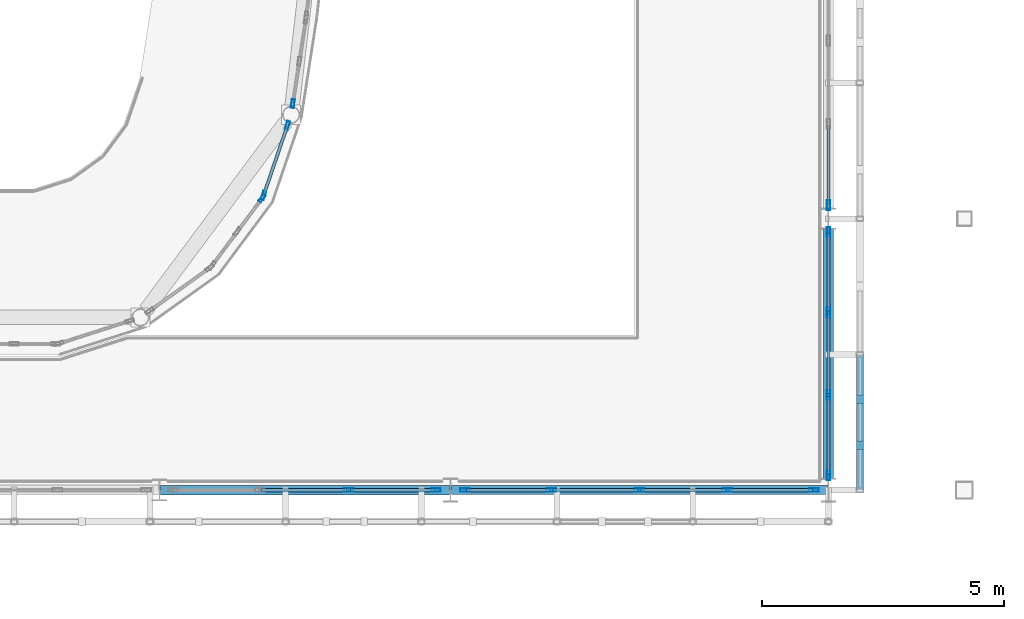
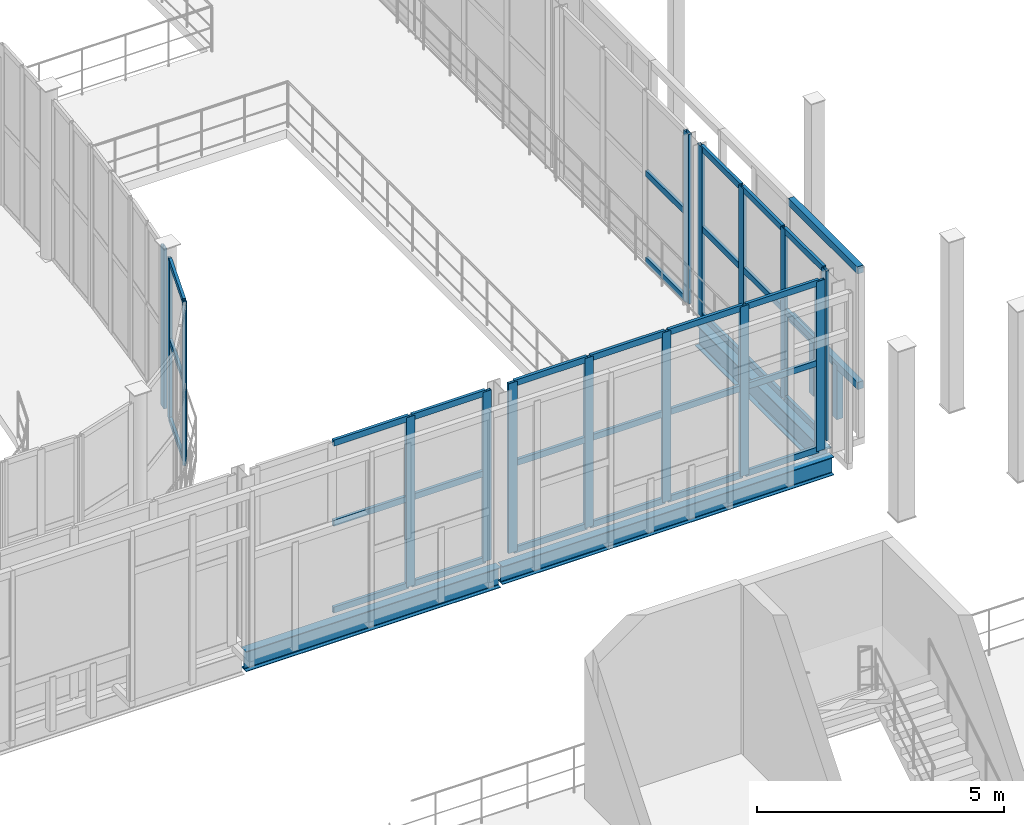
# One storey, part 32 of 138: 52 members, 3 beams, 7 elements without a shape of their own.
"""IFC4 building model written with IfcOpenShell, lengths in metres."""

from ifc_helpers import new_model, si_unit, direction, frame, origin, origin_2d, place, context, subcontext, project, spatial, rectangle, hollow_rectangle, i_section, extrude, material, layer, layer_set, material_profile, profile_set, type_object, element, aggregate, save


model = new_model("IFC4")

# Units and contexts
model_context = context("Model", 3, precision=1e-05, world=origin(), true_north=direction((0.0, 1.0)))
body_context = subcontext(model_context, "Body", "Model", "MODEL_VIEW")
ifc_project = project(units=[si_unit("LENGTHUNIT", "METRE"), si_unit("AREAUNIT", "SQUARE_METRE"), si_unit("VOLUMEUNIT", "CUBIC_METRE"), si_unit("PLANEANGLEUNIT", "RADIAN"), si_unit("MASSUNIT", "GRAM", prefix="KILO")], contexts=[model_context])

# Site, building, storey
site_placement = place(None, origin())
site = spatial("IfcSite", under=ifc_project, at=site_placement, CompositionType="ELEMENT")
building_placement = place(site_placement, origin())
building = spatial("IfcBuilding", under=site, at=building_placement, Name="Vinh Khe Railworks Police Headquarters", CompositionType="ELEMENT")
storey_placement = place(building_placement, frame((0.0, 0.0, 9.0)))
storey = spatial("IfcBuildingStorey", under=building, at=storey_placement, Name="L02", CompositionType="ELEMENT", Elevation=9.0)

# Members
ifc_material_1 = material(Name="Salvaged ironwood timber", Category="wood")
ifc_material_profile_1 = material_profile(ifc_material_1, rectangle(XDim=0.139892578125, YDim=0.179931640625, at=origin_2d()), Name="TIMBER 140x180")
ifc_profile_set_1 = profile_set([ifc_material_profile_1], Name="Salvaged ironwood timber")
member_type_1 = type_object("IfcMemberType", Name="MEM-QUILT-STILE", PredefinedType="CHORD", material=ifc_profile_set_1)
for number, where, z_axis, x_axis, name in (
    (1, (60.64990234375, 25.199951171875, 4.1201171875), (0.0, 1.0, 0.0), (-1.0, 0.0, 0.0), "Salvaged Timber Quilt Transom E-L02-00-TOP"),
    (2, (60.64990234375, 25.199951171875, 1.260009765625), (0.0, 1.0, 0.0), (-1.0, 0.0, 0.0), "Salvaged Timber Quilt Transom E-L02-00-M1"),
):
    element("IfcMember", number, at=place(storey_placement, frame(where, z_axis=z_axis, x_axis=x_axis)), inside=storey, type_object=member_type_1, Name=name, PredefinedType="CHORD", context=body_context, shape_type="SweptSolid", body=[
        extrude(rectangle(XDim=0.139892578125, YDim=0.179931640625, at=origin_2d()), origin(), (0.0, 0.0, 1.0), 2.800048828125),
    ])
for number, where, z_axis, x_axis, name in (
    (3, (60.64990234375, 26.1240234375, -0.080078125), (0.0, 0.0, 1.0), (1.0, 0.0, 0.0), "Salvaged Timber Quilt Stile E-L02-00-V1"),
    (4, (60.64990234375, 27.075927734375, -0.080078125), (0.0, 0.0, 1.0), (1.0, 0.0, 0.0), "Salvaged Timber Quilt Stile E-L02-00-V2"),
):
    element("IfcMember", number, at=place(storey_placement, frame(where, z_axis=z_axis, x_axis=x_axis)), inside=storey, type_object=member_type_1, Name=name, PredefinedType="POST", context=body_context, shape_type="SweptSolid", body=[
        extrude(rectangle(XDim=0.139892578125, YDim=0.179931640625, at=origin_2d()), origin(), (0.0, 0.0, 1.0), 1.340087890625),
    ])

# Curtain wall, member
ifc_material_2 = material(Name="Anodised aluminium and acoustic laminated glass", Category="aluminium")
ifc_layer_1 = layer(ifc_material_2, 0.159912109375)
ifc_layer_set_1 = layer_set([ifc_layer_1], Name="Anodised aluminium and acoustic laminated glass")
curtain_wall_type_1 = type_object("IfcCurtainWallType", Name="CW-DRUM-CHORD", PredefinedType="USERDEFINED", material=ifc_layer_set_1)
curtain_wall_1_placement = place(storey_placement, origin())
curtain_wall_1 = element("IfcCurtainWall", 5, at=curtain_wall_1_placement, inside=storey, type_object=curtain_wall_type_1, Name="Elliptical Command Drum Glazing L02 Chord 1", ObjectType="DRUM FACADE GLAZING", PredefinedType="USERDEFINED")
ifc_material_3 = material(Name="Anodised aluminium 6063-T6", Category="aluminium")
ifc_material_profile_2 = material_profile(ifc_material_3, hollow_rectangle(XDim=0.06494140625, YDim=0.179931640625, WallThickness=0.0048828125, at=origin_2d()), Name="CW-M 65x180x5")
ifc_profile_set_2 = profile_set([ifc_material_profile_2], Name="Anodised aluminium 6063-T6")
member_type_2 = type_object("IfcMemberType", Name="MULL-CWM-02", PredefinedType="MULLION", material=ifc_profile_set_2)
member_1_placement = place(storey_placement, frame((48.948486328125, 33.171630859375, 0.0), z_axis=(0.0, 0.0, 1.0), x_axis=(-0.988150166575, 0.153490222159, 0.0)))
member_1 = element("IfcMember", 6, at=member_1_placement, type_object=member_type_2, Name="CW-02 mullion 1", PredefinedType="MULLION", context=body_context, shape_type="SweptSolid", body=[
    extrude(hollow_rectangle(XDim=0.06494140625, YDim=0.179931640625, WallThickness=0.0048828125, at=origin_2d()), origin(), (0.0, 0.0, 1.0), 3.969970703125),
])
aggregate(curtain_wall_1, [member_1])

curtain_wall_2_placement = place(storey_placement, origin())
curtain_wall_2 = element("IfcCurtainWall", 7, at=curtain_wall_2_placement, inside=storey, type_object=curtain_wall_type_1, Name="Elliptical Command Drum Glazing L02 Chord 35", ObjectType="DRUM FACADE GLAZING", PredefinedType="USERDEFINED")
member_2_placement = place(storey_placement, frame((48.314697265625, 31.22021484375, 0.0), z_axis=(0.0, 0.0, 1.0), x_axis=(-0.802591949394, 0.596528425784, 0.0)))
member_2 = element("IfcMember", 8, at=member_2_placement, type_object=member_type_2, Name="CW-02 mullion 3", PredefinedType="MULLION", context=body_context, shape_type="SweptSolid", body=[
    extrude(hollow_rectangle(XDim=0.06494140625, YDim=0.179931640625, WallThickness=0.0048828125, at=origin_2d()), origin(), (0.0, 0.0, 1.0), 3.969970703125),
])
aggregate(curtain_wall_2, [member_2])

# Curtain wall, members
curtain_wall_3_placement = place(storey_placement, origin())
curtain_wall_3 = element("IfcCurtainWall", 9, at=curtain_wall_3_placement, inside=storey, type_object=curtain_wall_type_1, Name="Elliptical Command Drum Glazing L02 Chord 36", ObjectType="DRUM FACADE GLAZING", PredefinedType="USERDEFINED")
member_3_placement = place(storey_placement, frame((48.344482421875, 31.27685546875, 0.0), z_axis=(0.0, 0.0, 1.0), x_axis=(-0.946485571054, 0.322746129004, 0.0)))
member_3 = element("IfcMember", 10, at=member_3_placement, type_object=member_type_2, Name="CW-02 mullion 1", PredefinedType="MULLION", context=body_context, shape_type="SweptSolid", body=[
    extrude(hollow_rectangle(XDim=0.06494140625, YDim=0.179931640625, WallThickness=0.0048828125, at=origin_2d()), origin(), (0.0, 0.0, 1.0), 3.969970703125),
])
member_4_placement = place(storey_placement, frame((48.838623046875, 32.72607421875, 0.0), z_axis=(0.0, 0.0, 1.0), x_axis=(-0.946485571054, 0.322746129004, 0.0)))
member_4 = element("IfcMember", 11, at=member_4_placement, type_object=member_type_2, Name="CW-02 mullion 2", PredefinedType="MULLION", context=body_context, shape_type="SweptSolid", body=[
    extrude(hollow_rectangle(XDim=0.06494140625, YDim=0.179931640625, WallThickness=0.0048828125, at=origin_2d()), origin(), (0.0, 0.0, 1.0), 3.969970703125),
])

ifc_material_4 = material(Name="Anodised aluminium and low-iron glass", Category="aluminium")
ifc_layer_2 = layer(ifc_material_4, 0.179931640625)
ifc_layer_set_2 = layer_set([ifc_layer_2], Name="Anodised aluminium and low-iron glass")
curtain_wall_type_2 = type_object("IfcCurtainWallType", Name="CW-CUBE-UNIT", PredefinedType="USERDEFINED", material=ifc_layer_set_2)
curtain_wall_4_placement = place(storey_placement, origin())
curtain_wall_4 = element("IfcCurtainWall", 12, at=curtain_wall_4_placement, inside=storey, type_object=curtain_wall_type_2, Name="Entrance Hall Curtain Wall L02 S-4", ObjectType="UNITISED GLAZING", PredefinedType="USERDEFINED")
ifc_material_profile_3 = material_profile(ifc_material_3, hollow_rectangle(XDim=0.070068359375, YDim=0.199951171875, WallThickness=0.0048828125, at=origin_2d()), Name="CW-M 70x200x5")
ifc_profile_set_3 = profile_set([ifc_material_profile_3], Name="Anodised aluminium 6063-T6")
member_type_3 = type_object("IfcMemberType", Name="MULL-CWM-03", PredefinedType="MULLION", material=ifc_profile_set_3)
member_5_placement = place(storey_placement, frame((50.103271484375, 25.199951171875, 0.0), z_axis=(0.0, 0.0, 1.0), x_axis=(0.0, 1.0, 0.0)))
member_5 = element("IfcMember", 13, at=member_5_placement, type_object=member_type_3, Name="CW-01 mullion 3", PredefinedType="MULLION", context=body_context, shape_type="SweptSolid", body=[
    extrude(hollow_rectangle(XDim=0.070068359375, YDim=0.199951171875, WallThickness=0.0048828125, at=origin_2d()), origin(), (0.0, 0.0, 1.0), 4.199951171875),
])
member_6_placement = place(storey_placement, frame((51.89990234375, 25.199951171875, 0.0), z_axis=(0.0, 0.0, 1.0), x_axis=(0.0, 1.0, 0.0)))
member_6 = element("IfcMember", 14, at=member_6_placement, type_object=member_type_3, Name="CW-01 mullion 4", PredefinedType="MULLION", context=body_context, shape_type="SweptSolid", body=[
    extrude(hollow_rectangle(XDim=0.070068359375, YDim=0.199951171875, WallThickness=0.0048828125, at=origin_2d()), origin(), (0.0, 0.0, 1.0), 4.199951171875),
])

curtain_wall_5_placement = place(storey_placement, origin())
curtain_wall_5 = element("IfcCurtainWall", 15, at=curtain_wall_5_placement, inside=storey, type_object=curtain_wall_type_2, Name="Entrance Hall Curtain Wall L02 S-5", ObjectType="UNITISED GLAZING", PredefinedType="USERDEFINED")
member_7_placement = place(storey_placement, frame((52.5, 25.199951171875, 0.0), z_axis=(0.0, 0.0, 1.0), x_axis=(0.0, 1.0, 0.0)))
member_7 = element("IfcMember", 16, at=member_7_placement, type_object=member_type_3, Name="CW-01 mullion 1", PredefinedType="MULLION", context=body_context, shape_type="SweptSolid", body=[
    extrude(hollow_rectangle(XDim=0.070068359375, YDim=0.199951171875, WallThickness=0.0048828125, at=origin_2d()), origin(), (0.0, 0.0, 1.0), 4.199951171875),
])
member_8_placement = place(storey_placement, frame((54.282470703125, 25.199951171875, 0.0), z_axis=(0.0, 0.0, 1.0), x_axis=(0.0, 1.0, 0.0)))
member_8 = element("IfcMember", 17, at=member_8_placement, type_object=member_type_3, Name="CW-01 mullion 2", PredefinedType="MULLION", context=body_context, shape_type="SweptSolid", body=[
    extrude(hollow_rectangle(XDim=0.070068359375, YDim=0.199951171875, WallThickness=0.0048828125, at=origin_2d()), origin(), (0.0, 0.0, 1.0), 4.199951171875),
])
member_9_placement = place(storey_placement, frame((56.10009765625, 25.199951171875, 0.0), z_axis=(0.0, 0.0, 1.0), x_axis=(0.0, 1.0, 0.0)))
member_9 = element("IfcMember", 18, at=member_9_placement, type_object=member_type_3, Name="CW-01 mullion 3", PredefinedType="MULLION", context=body_context, shape_type="SweptSolid", body=[
    extrude(hollow_rectangle(XDim=0.070068359375, YDim=0.199951171875, WallThickness=0.0048828125, at=origin_2d()), origin(), (0.0, 0.0, 1.0), 4.199951171875),
])
member_10_placement = place(storey_placement, frame((57.91748046875, 25.199951171875, 0.0), z_axis=(0.0, 0.0, 1.0), x_axis=(0.0, 1.0, 0.0)))
member_10 = element("IfcMember", 19, at=member_10_placement, type_object=member_type_3, Name="CW-01 mullion 4", PredefinedType="MULLION", context=body_context, shape_type="SweptSolid", body=[
    extrude(hollow_rectangle(XDim=0.070068359375, YDim=0.199951171875, WallThickness=0.0048828125, at=origin_2d()), origin(), (0.0, 0.0, 1.0), 4.199951171875),
])
member_11_placement = place(storey_placement, frame((59.699951171875, 25.199951171875, 0.0), z_axis=(0.0, 0.0, 1.0), x_axis=(0.0, 1.0, 0.0)))
member_11 = element("IfcMember", 20, at=member_11_placement, type_object=member_type_3, Name="CW-01 mullion 5", PredefinedType="MULLION", context=body_context, shape_type="SweptSolid", body=[
    extrude(hollow_rectangle(XDim=0.070068359375, YDim=0.199951171875, WallThickness=0.0048828125, at=origin_2d()), origin(), (0.0, 0.0, 1.0), 4.199951171875),
])

curtain_wall_6_placement = place(storey_placement, origin())
curtain_wall_6 = element("IfcCurtainWall", 21, at=curtain_wall_6_placement, inside=storey, type_object=curtain_wall_type_2, Name="Entrance Hall Curtain Wall L02 E-1", ObjectType="UNITISED GLAZING", PredefinedType="USERDEFINED")
member_12_placement = place(storey_placement, frame((60.0, 25.5, 0.0), z_axis=(0.0, 0.0, 1.0), x_axis=(-1.0, 0.0, 0.0)))
member_12 = element("IfcMember", 22, at=member_12_placement, type_object=member_type_3, Name="CW-01 mullion 1", PredefinedType="MULLION", context=body_context, shape_type="SweptSolid", body=[
    extrude(hollow_rectangle(XDim=0.070068359375, YDim=0.199951171875, WallThickness=0.0048828125, at=origin_2d()), origin(), (0.0, 0.0, 1.0), 4.199951171875),
])
member_13_placement = place(storey_placement, frame((60.0, 27.163330078125, 0.0), z_axis=(0.0, 0.0, 1.0), x_axis=(-1.0, 0.0, 0.0)))
member_13 = element("IfcMember", 23, at=member_13_placement, type_object=member_type_3, Name="CW-01 mullion 2", PredefinedType="MULLION", context=body_context, shape_type="SweptSolid", body=[
    extrude(hollow_rectangle(XDim=0.070068359375, YDim=0.199951171875, WallThickness=0.0048828125, at=origin_2d()), origin(), (0.0, 0.0, 1.0), 4.199951171875),
])
member_14_placement = place(storey_placement, frame((60.0, 28.861572265625, 0.0), z_axis=(0.0, 0.0, 1.0), x_axis=(-1.0, 0.0, 0.0)))
member_14 = element("IfcMember", 24, at=member_14_placement, type_object=member_type_3, Name="CW-01 mullion 3", PredefinedType="MULLION", context=body_context, shape_type="SweptSolid", body=[
    extrude(hollow_rectangle(XDim=0.070068359375, YDim=0.199951171875, WallThickness=0.0048828125, at=origin_2d()), origin(), (0.0, 0.0, 1.0), 4.199951171875),
])
member_15_placement = place(storey_placement, frame((60.0, 30.52490234375, 0.0), z_axis=(0.0, 0.0, 1.0), x_axis=(-1.0, 0.0, 0.0)))
member_15 = element("IfcMember", 25, at=member_15_placement, type_object=member_type_3, Name="CW-01 mullion 4", PredefinedType="MULLION", context=body_context, shape_type="SweptSolid", body=[
    extrude(hollow_rectangle(XDim=0.070068359375, YDim=0.199951171875, WallThickness=0.0048828125, at=origin_2d()), origin(), (0.0, 0.0, 1.0), 4.199951171875),
])

# Curtain wall, member
curtain_wall_7_placement = place(storey_placement, origin())
curtain_wall_7 = element("IfcCurtainWall", 26, at=curtain_wall_7_placement, inside=storey, type_object=curtain_wall_type_2, Name="Entrance Hall Curtain Wall L02 E-2", ObjectType="UNITISED GLAZING", PredefinedType="USERDEFINED")
member_16_placement = place(storey_placement, frame((60.0, 31.074951171875, 0.0), z_axis=(0.0, 0.0, 1.0), x_axis=(-1.0, 0.0, 0.0)))
member_16 = element("IfcMember", 27, at=member_16_placement, type_object=member_type_3, Name="CW-01 mullion 1", PredefinedType="MULLION", context=body_context, shape_type="SweptSolid", body=[
    extrude(hollow_rectangle(XDim=0.070068359375, YDim=0.199951171875, WallThickness=0.0048828125, at=origin_2d()), origin(), (0.0, 0.0, 1.0), 4.199951171875),
])

# Beams
ifc_material_5 = material(Name="Steel S355JR", Category="steel")
ifc_material_profile_4 = material_profile(ifc_material_5, i_section(OverallWidth=0.18994140625, OverallDepth=0.449951171875, WebThickness=0.009521484375, FlangeThickness=0.0146484375, FilletRadius=0.02099609375, at=origin_2d()), Name="IPE 450")
ifc_profile_set_4 = profile_set([ifc_material_profile_4], Name="Steel S355JR")
beam_type_1 = type_object("IfcBeamType", Name="Steel Girder IPE 450", PredefinedType="BEAM", material=ifc_profile_set_4)
beam_1_placement = place(storey_placement, frame((52.219970703125, 25.199951171875, -0.445068359375), z_axis=(1.0, 0.0, 0.0), x_axis=(0.0, 1.0, 0.0)))
element("IfcBeam", 28, at=beam_1_placement, inside=storey, type_object=beam_type_1, Name="Girder BM-L02-EW-SB-20-0768", PredefinedType="BEAM", context=body_context, shape_type="SweptSolid", body=[
    extrude(i_section(OverallWidth=0.18994140625, OverallDepth=0.449951171875, WebThickness=0.009521484375, FlangeThickness=0.0146484375, FilletRadius=0.02099609375, at=origin_2d()), origin(), (0.0, 0.0, 1.0), 7.760009765625),
])
ifc_material_profile_5 = material_profile(ifc_material_5, i_section(OverallWidth=0.199951171875, OverallDepth=0.5, WebThickness=0.01025390625, FlangeThickness=0.01611328125, FilletRadius=0.02099609375, at=origin_2d()), Name="IPE 500")
ifc_profile_set_5 = profile_set([ifc_material_profile_5], Name="Steel S355JR")
beam_type_2 = type_object("IfcBeamType", Name="Steel Girder IPE 500", PredefinedType="BEAM", material=ifc_profile_set_5)
beam_2_placement = place(storey_placement, frame((46.219970703125, 25.199951171875, -0.469970703125), z_axis=(1.0, 0.0, 0.0), x_axis=(0.0, 1.0, 0.0)))
element("IfcBeam", 29, at=beam_2_placement, inside=storey, type_object=beam_type_2, Name="Girder BM-L02-EW-SB-19-0767", PredefinedType="BEAM", context=body_context, shape_type="SweptSolid", body=[
    extrude(i_section(OverallWidth=0.199951171875, OverallDepth=0.5, WebThickness=0.01025390625, FlangeThickness=0.01611328125, FilletRadius=0.02099609375, at=origin_2d()), origin(), (0.0, 0.0, 1.0), 5.9599609375),
])
ifc_material_profile_6 = material_profile(ifc_material_5, i_section(OverallWidth=0.2099609375, OverallDepth=0.550048828125, WebThickness=0.010986328125, FlangeThickness=0.01708984375, FilletRadius=0.02392578125, at=origin_2d()), Name="IPE 550")
ifc_profile_set_6 = profile_set([ifc_material_profile_6], Name="Steel S355JR")
beam_type_3 = type_object("IfcBeamType", Name="Steel Girder IPE 550", PredefinedType="BEAM", material=ifc_profile_set_6)
beam_3_placement = place(storey_placement, frame((60.0, 25.425048828125, -0.4951171875), z_axis=(0.0, 1.0, 0.0), x_axis=(-1.0, 0.0, 0.0)))
element("IfcBeam", 30, at=beam_3_placement, inside=storey, type_object=beam_type_3, Name="Girder BM-L02-NS-SB-18-0964", PredefinedType="BEAM", context=body_context, shape_type="SweptSolid", body=[
    extrude(i_section(OverallWidth=0.2099609375, OverallDepth=0.550048828125, WebThickness=0.010986328125, FlangeThickness=0.01708984375, FilletRadius=0.02392578125, at=origin_2d()), origin(), (0.0, 0.0, 1.0), 5.175048828125),
])

# Member
ifc_material_profile_7 = material_profile(ifc_material_3, hollow_rectangle(XDim=0.06494140625, YDim=0.139892578125, WallThickness=0.00390625, at=origin_2d()), Name="CW-T 65x140x4")
ifc_profile_set_7 = profile_set([ifc_material_profile_7], Name="Anodised aluminium 6063-T6")
member_type_4 = type_object("IfcMemberType", Name="TRAN-CWT-02", PredefinedType="USERDEFINED", material=ifc_profile_set_7)
member_17_placement = place(storey_placement, frame((48.35498046875, 31.3076171875, 0.032470703125), z_axis=(0.322714613398, 0.946496317108, 0.0), x_axis=(-0.946496317108, 0.322714613398, 0.0)))
member_17 = element("IfcMember", 31, at=member_17_placement, type_object=member_type_4, Name="CW-02 transom 1.1", ObjectType="TRANSOM", PredefinedType="USERDEFINED", context=body_context, shape_type="SweptSolid", body=[
    extrude(hollow_rectangle(XDim=0.06494140625, YDim=0.139892578125, WallThickness=0.00390625, at=origin_2d()), origin(), (0.0, 0.0, 1.0), 1.466064453125),
])

member_18_placement = place(storey_placement, frame((48.35498046875, 31.3076171875, 1.985107421875), z_axis=(0.322714613398, 0.946496317108, 0.0), x_axis=(-0.946496317108, 0.322714613398, 0.0)))
member_18 = element("IfcMember", 32, at=member_18_placement, type_object=member_type_4, Name="CW-02 transom 1.2", ObjectType="TRANSOM", PredefinedType="USERDEFINED", context=body_context, shape_type="SweptSolid", body=[
    extrude(hollow_rectangle(XDim=0.06494140625, YDim=0.139892578125, WallThickness=0.00390625, at=origin_2d()), origin(), (0.0, 0.0, 1.0), 1.466064453125),
])

member_19_placement = place(storey_placement, frame((48.35498046875, 31.3076171875, 3.9375), z_axis=(0.322714613398, 0.946496317108, 0.0), x_axis=(-0.946496317108, 0.322714613398, 0.0)))
member_19 = element("IfcMember", 33, at=member_19_placement, type_object=member_type_4, Name="CW-02 transom 1.3", ObjectType="TRANSOM", PredefinedType="USERDEFINED", context=body_context, shape_type="SweptSolid", body=[
    extrude(hollow_rectangle(XDim=0.06494140625, YDim=0.139892578125, WallThickness=0.00390625, at=origin_2d()), origin(), (0.0, 0.0, 1.0), 1.466064453125),
])

aggregate(curtain_wall_3, [member_3, member_4, member_17, member_18, member_19])

ifc_material_profile_8 = material_profile(ifc_material_3, hollow_rectangle(XDim=0.070068359375, YDim=0.14990234375, WallThickness=0.0048828125, at=origin_2d()), Name="CW-T 70x150x5")
ifc_profile_set_8 = profile_set([ifc_material_profile_8], Name="Anodised aluminium 6063-T6")
member_type_5 = type_object("IfcMemberType", Name="TRAN-CWT-03", PredefinedType="USERDEFINED", material=ifc_profile_set_8)
member_20_placement = place(storey_placement, frame((48.306640625, 25.199951171875, 0.034912109375), z_axis=(1.0, 0.0, 0.0), x_axis=(0.0, 1.0, 0.0)))
member_20 = element("IfcMember", 34, at=member_20_placement, type_object=member_type_5, Name="CW-01 transom 2.1", ObjectType="TRANSOM", PredefinedType="USERDEFINED", context=body_context, shape_type="SweptSolid", body=[
    extrude(hollow_rectangle(XDim=0.070068359375, YDim=0.14990234375, WallThickness=0.0048828125, at=origin_2d()), origin(), (0.0, 0.0, 1.0), 1.76171875),
])

member_21_placement = place(storey_placement, frame((48.306640625, 25.199951171875, 2.18408203125), z_axis=(1.0, 0.0, 0.0), x_axis=(0.0, 1.0, 0.0)))
member_21 = element("IfcMember", 35, at=member_21_placement, type_object=member_type_5, Name="CW-01 transom 2.2", ObjectType="TRANSOM", PredefinedType="USERDEFINED", context=body_context, shape_type="SweptSolid", body=[
    extrude(hollow_rectangle(XDim=0.070068359375, YDim=0.14990234375, WallThickness=0.0048828125, at=origin_2d()), origin(), (0.0, 0.0, 1.0), 1.76171875),
])

member_22_placement = place(storey_placement, frame((48.306640625, 25.199951171875, 4.1650390625), z_axis=(1.0, 0.0, 0.0), x_axis=(0.0, 1.0, 0.0)))
member_22 = element("IfcMember", 36, at=member_22_placement, type_object=member_type_5, Name="CW-01 transom 2.3", ObjectType="TRANSOM", PredefinedType="USERDEFINED", context=body_context, shape_type="SweptSolid", body=[
    extrude(hollow_rectangle(XDim=0.070068359375, YDim=0.14990234375, WallThickness=0.0048828125, at=origin_2d()), origin(), (0.0, 0.0, 1.0), 1.76171875),
])

member_23_placement = place(storey_placement, frame((50.138427734375, 25.199951171875, 0.034912109375), z_axis=(1.0, 0.0, 0.0), x_axis=(0.0, 1.0, 0.0)))
member_23 = element("IfcMember", 37, at=member_23_placement, type_object=member_type_5, Name="CW-01 transom 3.1", ObjectType="TRANSOM", PredefinedType="USERDEFINED", context=body_context, shape_type="SweptSolid", body=[
    extrude(hollow_rectangle(XDim=0.070068359375, YDim=0.14990234375, WallThickness=0.0048828125, at=origin_2d()), origin(), (0.0, 0.0, 1.0), 1.7265625),
])

member_24_placement = place(storey_placement, frame((50.138427734375, 25.199951171875, 2.18408203125), z_axis=(1.0, 0.0, 0.0), x_axis=(0.0, 1.0, 0.0)))
member_24 = element("IfcMember", 38, at=member_24_placement, type_object=member_type_5, Name="CW-01 transom 3.2", ObjectType="TRANSOM", PredefinedType="USERDEFINED", context=body_context, shape_type="SweptSolid", body=[
    extrude(hollow_rectangle(XDim=0.070068359375, YDim=0.14990234375, WallThickness=0.0048828125, at=origin_2d()), origin(), (0.0, 0.0, 1.0), 1.7265625),
])

member_25_placement = place(storey_placement, frame((50.138427734375, 25.199951171875, 4.1650390625), z_axis=(1.0, 0.0, 0.0), x_axis=(0.0, 1.0, 0.0)))
member_25 = element("IfcMember", 39, at=member_25_placement, type_object=member_type_5, Name="CW-01 transom 3.3", ObjectType="TRANSOM", PredefinedType="USERDEFINED", context=body_context, shape_type="SweptSolid", body=[
    extrude(hollow_rectangle(XDim=0.070068359375, YDim=0.14990234375, WallThickness=0.0048828125, at=origin_2d()), origin(), (0.0, 0.0, 1.0), 1.7265625),
])

aggregate(curtain_wall_4, [member_5, member_6, member_20, member_21, member_22, member_23, member_24, member_25])

member_26_placement = place(storey_placement, frame((52.534912109375, 25.199951171875, 0.034912109375), z_axis=(1.0, 0.0, 0.0), x_axis=(0.0, 1.0, 0.0)))
member_26 = element("IfcMember", 40, at=member_26_placement, type_object=member_type_5, Name="CW-01 transom 1.1", ObjectType="TRANSOM", PredefinedType="USERDEFINED", context=body_context, shape_type="SweptSolid", body=[
    extrude(hollow_rectangle(XDim=0.070068359375, YDim=0.14990234375, WallThickness=0.0048828125, at=origin_2d()), origin(), (0.0, 0.0, 1.0), 1.712646484375),
])

member_27_placement = place(storey_placement, frame((52.534912109375, 25.199951171875, 2.18408203125), z_axis=(1.0, 0.0, 0.0), x_axis=(0.0, 1.0, 0.0)))
member_27 = element("IfcMember", 41, at=member_27_placement, type_object=member_type_5, Name="CW-01 transom 1.2", ObjectType="TRANSOM", PredefinedType="USERDEFINED", context=body_context, shape_type="SweptSolid", body=[
    extrude(hollow_rectangle(XDim=0.070068359375, YDim=0.14990234375, WallThickness=0.0048828125, at=origin_2d()), origin(), (0.0, 0.0, 1.0), 1.712646484375),
])

member_28_placement = place(storey_placement, frame((52.534912109375, 25.199951171875, 4.1650390625), z_axis=(1.0, 0.0, 0.0), x_axis=(0.0, 1.0, 0.0)))
member_28 = element("IfcMember", 42, at=member_28_placement, type_object=member_type_5, Name="CW-01 transom 1.3", ObjectType="TRANSOM", PredefinedType="USERDEFINED", context=body_context, shape_type="SweptSolid", body=[
    extrude(hollow_rectangle(XDim=0.070068359375, YDim=0.14990234375, WallThickness=0.0048828125, at=origin_2d()), origin(), (0.0, 0.0, 1.0), 1.712646484375),
])

member_29_placement = place(storey_placement, frame((54.3173828125, 25.199951171875, 0.034912109375), z_axis=(1.0, 0.0, 0.0), x_axis=(0.0, 1.0, 0.0)))
member_29 = element("IfcMember", 43, at=member_29_placement, type_object=member_type_5, Name="CW-01 transom 2.1", ObjectType="TRANSOM", PredefinedType="USERDEFINED", context=body_context, shape_type="SweptSolid", body=[
    extrude(hollow_rectangle(XDim=0.070068359375, YDim=0.14990234375, WallThickness=0.0048828125, at=origin_2d()), origin(), (0.0, 0.0, 1.0), 1.74755859375),
])

member_30_placement = place(storey_placement, frame((54.3173828125, 25.199951171875, 2.18408203125), z_axis=(1.0, 0.0, 0.0), x_axis=(0.0, 1.0, 0.0)))
member_30 = element("IfcMember", 44, at=member_30_placement, type_object=member_type_5, Name="CW-01 transom 2.2", ObjectType="TRANSOM", PredefinedType="USERDEFINED", context=body_context, shape_type="SweptSolid", body=[
    extrude(hollow_rectangle(XDim=0.070068359375, YDim=0.14990234375, WallThickness=0.0048828125, at=origin_2d()), origin(), (0.0, 0.0, 1.0), 1.74755859375),
])

member_31_placement = place(storey_placement, frame((54.3173828125, 25.199951171875, 4.1650390625), z_axis=(1.0, 0.0, 0.0), x_axis=(0.0, 1.0, 0.0)))
member_31 = element("IfcMember", 45, at=member_31_placement, type_object=member_type_5, Name="CW-01 transom 2.3", ObjectType="TRANSOM", PredefinedType="USERDEFINED", context=body_context, shape_type="SweptSolid", body=[
    extrude(hollow_rectangle(XDim=0.070068359375, YDim=0.14990234375, WallThickness=0.0048828125, at=origin_2d()), origin(), (0.0, 0.0, 1.0), 1.74755859375),
])

member_32_placement = place(storey_placement, frame((56.135009765625, 25.199951171875, 0.034912109375), z_axis=(1.0, 0.0, 0.0), x_axis=(0.0, 1.0, 0.0)))
member_32 = element("IfcMember", 46, at=member_32_placement, type_object=member_type_5, Name="CW-01 transom 3.1", ObjectType="TRANSOM", PredefinedType="USERDEFINED", context=body_context, shape_type="SweptSolid", body=[
    extrude(hollow_rectangle(XDim=0.070068359375, YDim=0.14990234375, WallThickness=0.0048828125, at=origin_2d()), origin(), (0.0, 0.0, 1.0), 1.74755859375),
])

member_33_placement = place(storey_placement, frame((56.135009765625, 25.199951171875, 2.18408203125), z_axis=(1.0, 0.0, 0.0), x_axis=(0.0, 1.0, 0.0)))
member_33 = element("IfcMember", 47, at=member_33_placement, type_object=member_type_5, Name="CW-01 transom 3.2", ObjectType="TRANSOM", PredefinedType="USERDEFINED", context=body_context, shape_type="SweptSolid", body=[
    extrude(hollow_rectangle(XDim=0.070068359375, YDim=0.14990234375, WallThickness=0.0048828125, at=origin_2d()), origin(), (0.0, 0.0, 1.0), 1.74755859375),
])

member_34_placement = place(storey_placement, frame((56.135009765625, 25.199951171875, 4.1650390625), z_axis=(1.0, 0.0, 0.0), x_axis=(0.0, 1.0, 0.0)))
member_34 = element("IfcMember", 48, at=member_34_placement, type_object=member_type_5, Name="CW-01 transom 3.3", ObjectType="TRANSOM", PredefinedType="USERDEFINED", context=body_context, shape_type="SweptSolid", body=[
    extrude(hollow_rectangle(XDim=0.070068359375, YDim=0.14990234375, WallThickness=0.0048828125, at=origin_2d()), origin(), (0.0, 0.0, 1.0), 1.74755859375),
])

member_35_placement = place(storey_placement, frame((57.952392578125, 25.199951171875, 0.034912109375), z_axis=(1.0, 0.0, 0.0), x_axis=(0.0, 1.0, 0.0)))
member_35 = element("IfcMember", 49, at=member_35_placement, type_object=member_type_5, Name="CW-01 transom 4.1", ObjectType="TRANSOM", PredefinedType="USERDEFINED", context=body_context, shape_type="SweptSolid", body=[
    extrude(hollow_rectangle(XDim=0.070068359375, YDim=0.14990234375, WallThickness=0.0048828125, at=origin_2d()), origin(), (0.0, 0.0, 1.0), 1.712646484375),
])

member_36_placement = place(storey_placement, frame((57.952392578125, 25.199951171875, 2.18408203125), z_axis=(1.0, 0.0, 0.0), x_axis=(0.0, 1.0, 0.0)))
member_36 = element("IfcMember", 50, at=member_36_placement, type_object=member_type_5, Name="CW-01 transom 4.2", ObjectType="TRANSOM", PredefinedType="USERDEFINED", context=body_context, shape_type="SweptSolid", body=[
    extrude(hollow_rectangle(XDim=0.070068359375, YDim=0.14990234375, WallThickness=0.0048828125, at=origin_2d()), origin(), (0.0, 0.0, 1.0), 1.712646484375),
])

member_37_placement = place(storey_placement, frame((57.952392578125, 25.199951171875, 4.1650390625), z_axis=(1.0, 0.0, 0.0), x_axis=(0.0, 1.0, 0.0)))
member_37 = element("IfcMember", 51, at=member_37_placement, type_object=member_type_5, Name="CW-01 transom 4.3", ObjectType="TRANSOM", PredefinedType="USERDEFINED", context=body_context, shape_type="SweptSolid", body=[
    extrude(hollow_rectangle(XDim=0.070068359375, YDim=0.14990234375, WallThickness=0.0048828125, at=origin_2d()), origin(), (0.0, 0.0, 1.0), 1.712646484375),
])

aggregate(curtain_wall_5, [member_7, member_8, member_9, member_10, member_11, member_26, member_27, member_28, member_29, member_30, member_31, member_32, member_33, member_34, member_35, member_36, member_37])

member_38_placement = place(storey_placement, frame((60.0, 25.534912109375, 0.034912109375), z_axis=(0.0, 1.0, 0.0), x_axis=(-1.0, 0.0, 0.0)))
member_38 = element("IfcMember", 52, at=member_38_placement, type_object=member_type_5, Name="CW-01 transom 1.1", ObjectType="TRANSOM", PredefinedType="USERDEFINED", context=body_context, shape_type="SweptSolid", body=[
    extrude(hollow_rectangle(XDim=0.070068359375, YDim=0.14990234375, WallThickness=0.0048828125, at=origin_2d()), origin(), (0.0, 0.0, 1.0), 1.593505859375),
])

member_39_placement = place(storey_placement, frame((60.0, 25.534912109375, 2.18408203125), z_axis=(0.0, 1.0, 0.0), x_axis=(-1.0, 0.0, 0.0)))
member_39 = element("IfcMember", 53, at=member_39_placement, type_object=member_type_5, Name="CW-01 transom 1.2", ObjectType="TRANSOM", PredefinedType="USERDEFINED", context=body_context, shape_type="SweptSolid", body=[
    extrude(hollow_rectangle(XDim=0.070068359375, YDim=0.14990234375, WallThickness=0.0048828125, at=origin_2d()), origin(), (0.0, 0.0, 1.0), 1.593505859375),
])

member_40_placement = place(storey_placement, frame((60.0, 25.534912109375, 4.1650390625), z_axis=(0.0, 1.0, 0.0), x_axis=(-1.0, 0.0, 0.0)))
member_40 = element("IfcMember", 54, at=member_40_placement, type_object=member_type_5, Name="CW-01 transom 1.3", ObjectType="TRANSOM", PredefinedType="USERDEFINED", context=body_context, shape_type="SweptSolid", body=[
    extrude(hollow_rectangle(XDim=0.070068359375, YDim=0.14990234375, WallThickness=0.0048828125, at=origin_2d()), origin(), (0.0, 0.0, 1.0), 1.593505859375),
])

member_41_placement = place(storey_placement, frame((60.0, 27.1982421875, 0.034912109375), z_axis=(0.0, 1.0, 0.0), x_axis=(-1.0, 0.0, 0.0)))
member_41 = element("IfcMember", 55, at=member_41_placement, type_object=member_type_5, Name="CW-01 transom 2.1", ObjectType="TRANSOM", PredefinedType="USERDEFINED", context=body_context, shape_type="SweptSolid", body=[
    extrude(hollow_rectangle(XDim=0.070068359375, YDim=0.14990234375, WallThickness=0.0048828125, at=origin_2d()), origin(), (0.0, 0.0, 1.0), 1.62841796875),
])

member_42_placement = place(storey_placement, frame((60.0, 27.1982421875, 2.18408203125), z_axis=(0.0, 1.0, 0.0), x_axis=(-1.0, 0.0, 0.0)))
member_42 = element("IfcMember", 56, at=member_42_placement, type_object=member_type_5, Name="CW-01 transom 2.2", ObjectType="TRANSOM", PredefinedType="USERDEFINED", context=body_context, shape_type="SweptSolid", body=[
    extrude(hollow_rectangle(XDim=0.070068359375, YDim=0.14990234375, WallThickness=0.0048828125, at=origin_2d()), origin(), (0.0, 0.0, 1.0), 1.62841796875),
])

member_43_placement = place(storey_placement, frame((60.0, 27.1982421875, 4.1650390625), z_axis=(0.0, 1.0, 0.0), x_axis=(-1.0, 0.0, 0.0)))
member_43 = element("IfcMember", 57, at=member_43_placement, type_object=member_type_5, Name="CW-01 transom 2.3", ObjectType="TRANSOM", PredefinedType="USERDEFINED", context=body_context, shape_type="SweptSolid", body=[
    extrude(hollow_rectangle(XDim=0.070068359375, YDim=0.14990234375, WallThickness=0.0048828125, at=origin_2d()), origin(), (0.0, 0.0, 1.0), 1.62841796875),
])

member_44_placement = place(storey_placement, frame((60.0, 28.896728515625, 0.034912109375), z_axis=(0.0, 1.0, 0.0), x_axis=(-1.0, 0.0, 0.0)))
member_44 = element("IfcMember", 58, at=member_44_placement, type_object=member_type_5, Name="CW-01 transom 3.1", ObjectType="TRANSOM", PredefinedType="USERDEFINED", context=body_context, shape_type="SweptSolid", body=[
    extrude(hollow_rectangle(XDim=0.070068359375, YDim=0.14990234375, WallThickness=0.0048828125, at=origin_2d()), origin(), (0.0, 0.0, 1.0), 1.59326171875),
])

member_45_placement = place(storey_placement, frame((60.0, 28.896728515625, 2.18408203125), z_axis=(0.0, 1.0, 0.0), x_axis=(-1.0, 0.0, 0.0)))
member_45 = element("IfcMember", 59, at=member_45_placement, type_object=member_type_5, Name="CW-01 transom 3.2", ObjectType="TRANSOM", PredefinedType="USERDEFINED", context=body_context, shape_type="SweptSolid", body=[
    extrude(hollow_rectangle(XDim=0.070068359375, YDim=0.14990234375, WallThickness=0.0048828125, at=origin_2d()), origin(), (0.0, 0.0, 1.0), 1.59326171875),
])

member_46_placement = place(storey_placement, frame((60.0, 28.896728515625, 4.1650390625), z_axis=(0.0, 1.0, 0.0), x_axis=(-1.0, 0.0, 0.0)))
member_46 = element("IfcMember", 60, at=member_46_placement, type_object=member_type_5, Name="CW-01 transom 3.3", ObjectType="TRANSOM", PredefinedType="USERDEFINED", context=body_context, shape_type="SweptSolid", body=[
    extrude(hollow_rectangle(XDim=0.070068359375, YDim=0.14990234375, WallThickness=0.0048828125, at=origin_2d()), origin(), (0.0, 0.0, 1.0), 1.59326171875),
])

aggregate(curtain_wall_6, [member_12, member_13, member_14, member_15, member_38, member_39, member_40, member_41, member_42, member_43, member_44, member_45, member_46])

member_47_placement = place(storey_placement, frame((60.0, 31.110107421875, 0.034912109375), z_axis=(0.0, 1.0, 0.0), x_axis=(-1.0, 0.0, 0.0)))
member_47 = element("IfcMember", 61, at=member_47_placement, type_object=member_type_5, Name="CW-01 transom 1.1", ObjectType="TRANSOM", PredefinedType="USERDEFINED", context=body_context, shape_type="SweptSolid", body=[
    extrude(hollow_rectangle(XDim=0.070068359375, YDim=0.14990234375, WallThickness=0.0048828125, at=origin_2d()), origin(), (0.0, 0.0, 1.0), 1.60986328125),
])

member_48_placement = place(storey_placement, frame((60.0, 31.110107421875, 2.18408203125), z_axis=(0.0, 1.0, 0.0), x_axis=(-1.0, 0.0, 0.0)))
member_48 = element("IfcMember", 62, at=member_48_placement, type_object=member_type_5, Name="CW-01 transom 1.2", ObjectType="TRANSOM", PredefinedType="USERDEFINED", context=body_context, shape_type="SweptSolid", body=[
    extrude(hollow_rectangle(XDim=0.070068359375, YDim=0.14990234375, WallThickness=0.0048828125, at=origin_2d()), origin(), (0.0, 0.0, 1.0), 1.60986328125),
])

aggregate(curtain_wall_7, [member_16, member_47, member_48])

save(model, "model.ifc")
